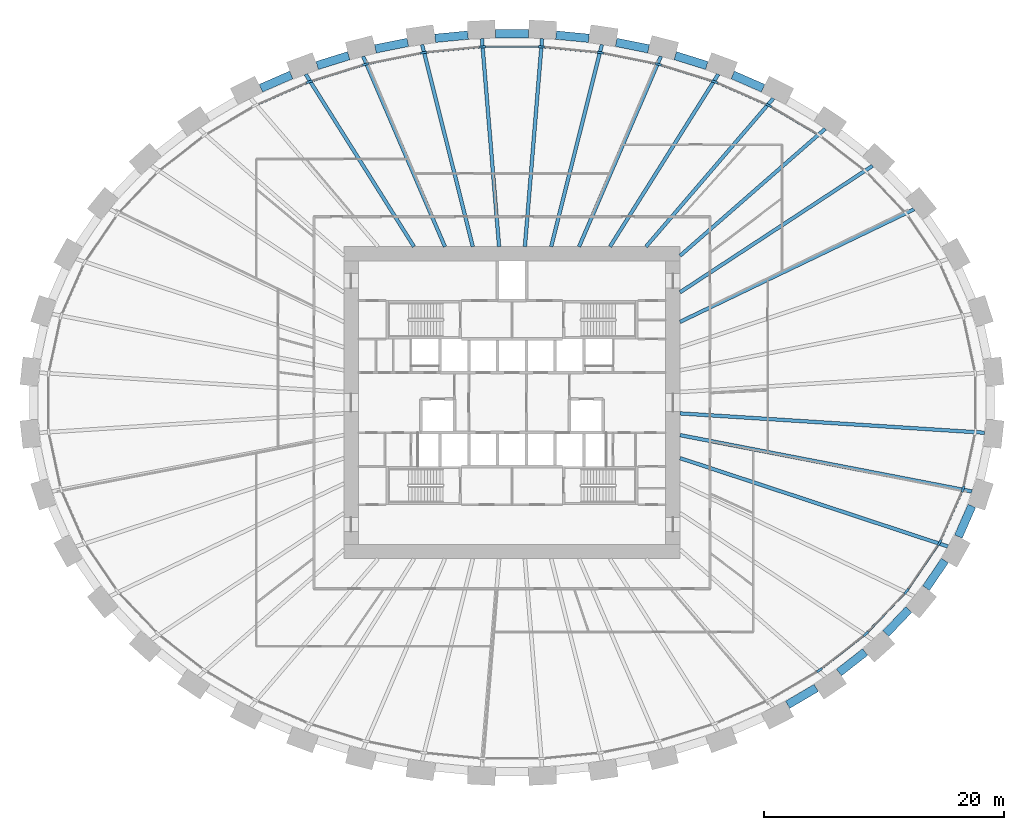
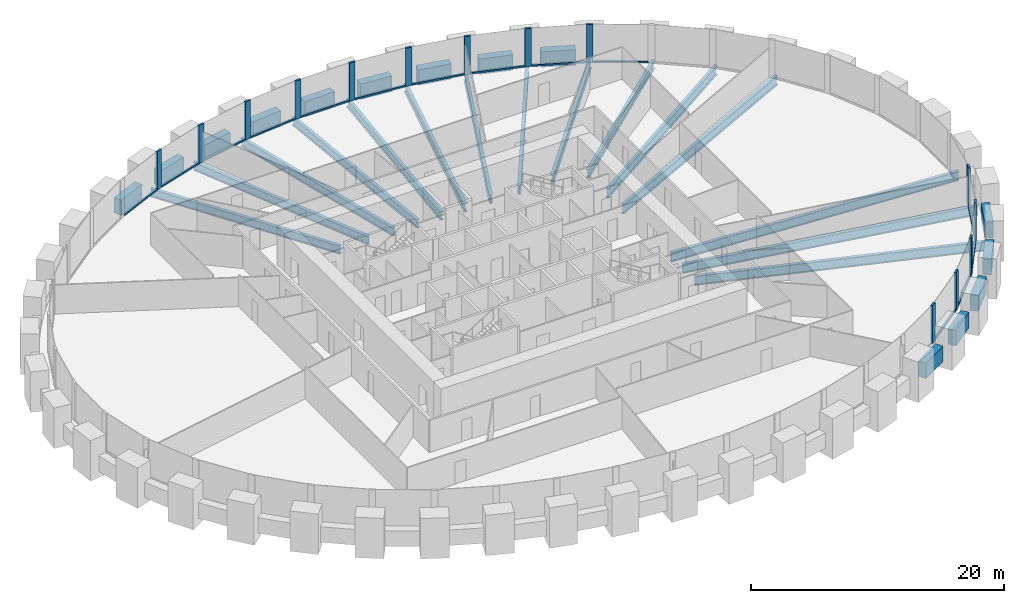
# One storey, part 3 of 11: 29 beams, 28 members, 1 element without a shape of its own.
"""IFC4 building model written with IfcOpenShell, lengths in metres."""

from ifc_helpers import new_model, si_unit, direction, frame, origin, origin_2d, place, context, subcontext, project, spatial, rectangle, i_section, extrude, source, transform, mapped, material, material_profile, profile_set, type_object, element, aggregate, save


model = new_model("IFC4")

# Units and contexts
model_context = context("Model", 3, precision=1e-05, world=origin(), true_north=direction((0.0, 1.0)))
body_context = subcontext(model_context, "Body", "Model", "MODEL_VIEW")
ifc_project = project(units=[si_unit("LENGTHUNIT", "METRE"), si_unit("AREAUNIT", "SQUARE_METRE"), si_unit("VOLUMEUNIT", "CUBIC_METRE"), si_unit("PLANEANGLEUNIT", "RADIAN"), si_unit("MASSUNIT", "GRAM", prefix="KILO")], contexts=[model_context])

# Site, building, storey
site_placement = place(None, origin())
site = spatial("IfcSite", under=ifc_project, at=site_placement, CompositionType="ELEMENT")
building_placement = place(site_placement, origin())
building = spatial("IfcBuilding", under=site, at=building_placement, Name="Embergate Tower", CompositionType="ELEMENT")
storey_placement = place(building_placement, frame((0.0, 0.0, 113.300048828125)))
storey = spatial("IfcBuildingStorey", under=building, at=storey_placement, Name="L24", CompositionType="ELEMENT", Elevation=113.300048828125)

# Beams
ifc_material_1 = material(Name="Concrete C70", Category="concrete")
ifc_material_profile_1 = material_profile(ifc_material_1, rectangle(XDim=0.699951171875, YDim=1.5, at=origin_2d()), Name="RC 700x1500")
ifc_profile_set_1 = profile_set([ifc_material_profile_1], Name="Concrete C70")
beam_type_1 = type_object("IfcBeamType", Name="Spandrel beam RC 700x1500 C70", PredefinedType="BEAM", material=ifc_profile_set_1)
shared_shape_1 = source(origin(), body_context, "Body", "SweptSolid", [
    extrude(rectangle(XDim=0.699951171875, YDim=1.5, at=origin_2d()), origin(), (0.0, 0.0, 1.0), 2.78564453125),
])
beam_1_placement = place(storey_placement, frame((37.193115234375, -11.14892578125, 0.0), z_axis=(0.401669232295, 0.915784815242, 0.0), x_axis=(-0.915784815242, 0.401669232295, 0.0)))
element("IfcBeam", 1, at=beam_1_placement, inside=storey, type_object=beam_type_1, Name="SPN-L24-41", PredefinedType="BEAM", context=body_context, shape_type="MappedRepresentation", body=[
    mapped(shared_shape_1, transform((0.0, 0.0, 0.0))),
])
shared_shape_2 = source(origin(), body_context, "Body", "SweptSolid", [
    extrude(rectangle(XDim=0.699951171875, YDim=1.5, at=origin_2d()), origin(), (0.0, 0.0, 1.0), 2.775634765625),
])
beam_2_placement = place(storey_placement, frame((34.5009765625, -15.447021484375, 0.0), z_axis=(0.562430313872, 0.826844690397, 0.0), x_axis=(-0.826844690397, 0.562430313872, 0.0)))
element("IfcBeam", 2, at=beam_2_placement, inside=storey, type_object=beam_type_1, Name="SPN-L24-40", PredefinedType="BEAM", context=body_context, shape_type="MappedRepresentation", body=[
    mapped(shared_shape_2, transform((0.0, 0.0, 0.0))),
])
shared_shape_3 = source(origin(), body_context, "Body", "SweptSolid", [
    extrude(rectangle(XDim=0.699951171875, YDim=1.5, at=origin_2d()), origin(), (0.0, 0.0, 1.0), 2.770263671875),
])
beam_3_placement = place(storey_placement, frame((31.14404296875, -19.241943359375, 0.0), z_axis=(0.690119345663, 0.723695577395, 0.0), x_axis=(-0.723695577395, 0.690119345663, 0.0)))
element("IfcBeam", 3, at=beam_3_placement, inside=storey, type_object=beam_type_1, Name="SPN-L24-39", PredefinedType="BEAM", context=body_context, shape_type="MappedRepresentation", body=[
    mapped(shared_shape_3, transform((0.0, 0.0, 0.0))),
])
shared_shape_4 = source(origin(), body_context, "Body", "SweptSolid", [
    extrude(rectangle(XDim=0.699951171875, YDim=1.5, at=origin_2d()), origin(), (0.0, 0.0, 1.0), 2.762939453125),
])
beam_4_placement = place(storey_placement, frame((27.248046875, -22.470947265625, 0.0), z_axis=(0.788304284462, 0.615285588242, 0.0), x_axis=(-0.615285588242, 0.788304284462, 0.0)))
element("IfcBeam", 4, at=beam_4_placement, inside=storey, type_object=beam_type_1, Name="SPN-L24-38", PredefinedType="BEAM", context=body_context, shape_type="MappedRepresentation", body=[
    mapped(shared_shape_4, transform((0.0, 0.0, 0.0))),
])
shared_shape_5 = source(origin(), body_context, "Body", "SweptSolid", [
    extrude(rectangle(XDim=0.699951171875, YDim=1.5, at=origin_2d()), origin(), (0.0, 0.0, 1.0), 2.758544921875),
])
beam_5_placement = place(storey_placement, frame((22.968017578125, -25.162109375, 0.0), z_axis=(0.862027482261, 0.506861539108, 0.0), x_axis=(-0.506861539108, 0.862027482261, 0.0)))
element("IfcBeam", 5, at=beam_5_placement, inside=storey, type_object=beam_type_1, Name="SPN-L24-37", PredefinedType="BEAM", context=body_context, shape_type="MappedRepresentation", body=[
    mapped(shared_shape_5, transform((0.0, 0.0, 0.0))),
])
shared_shape_6 = source(origin(), body_context, "Body", "SweptSolid", [
    extrude(rectangle(XDim=0.699951171875, YDim=1.5, at=origin_2d()), origin(), (0.0, 0.0, 1.0), 2.75537109375),
])
for number, where, z_axis, x_axis, name in (
    (6, (20.9189453125, 26.2080078125, 0.0), (-0.916372764163, 0.400326063478, 0.0), (-0.400326063478, -0.916372764163, 0.0), "SPN-L24-06"),
    (7, (-18.39404296875, 27.31103515625, 0.0), (-0.916372764163, -0.400326063478, 0.0), (0.400326063478, -0.916372764163, 0.0), "SPN-L24-14"),
):
    element("IfcBeam", number, at=place(storey_placement, frame(where, z_axis=z_axis, x_axis=x_axis)), inside=storey, type_object=beam_type_1, Name=name, PredefinedType="BEAM", context=body_context, shape_type="MappedRepresentation", body=[
        mapped(shared_shape_6, transform((0.0, 0.0, 0.0))),
    ])
shared_shape_7 = source(origin(), body_context, "Body", "SweptSolid", [
    extrude(rectangle(XDim=0.699951171875, YDim=1.5, at=origin_2d()), origin(), (0.0, 0.0, 1.0), 2.750732421875),
])
for number, where, z_axis, x_axis, name in (
    (8, (16.23193359375, 28.095947265625, 0.0), (-0.954637769475, 0.297769590609, 0.0), (-0.297769590609, -0.954637769475, 0.0), "SPN-L24-07"),
    (9, (-13.60595703125, 28.9150390625, 0.0), (-0.954637769475, -0.297769590609, 0.0), (0.297769590609, -0.954637769475, 0.0), "SPN-L24-13"),
):
    element("IfcBeam", number, at=place(storey_placement, frame(where, z_axis=z_axis, x_axis=x_axis)), inside=storey, type_object=beam_type_1, Name=name, PredefinedType="BEAM", context=body_context, shape_type="MappedRepresentation", body=[
        mapped(shared_shape_7, transform((0.0, 0.0, 0.0))),
    ])
shared_shape_8 = source(origin(), body_context, "Body", "SweptSolid", [
    extrude(rectangle(XDim=0.699951171875, YDim=1.5, at=origin_2d()), origin(), (0.0, 0.0, 1.0), 2.749755859375),
])
for number, where, z_axis, x_axis, name in (
    (10, (11.376953125, 29.48291015625, 0.0), (-0.98045412413, 0.196747834743, 0.0), (-0.196747834743, -0.98045412413, 0.0), "SPN-L24-08"),
    (11, (-8.680908203125, 30.02392578125, 0.0), (-0.98045412413, -0.196747834743, 0.0), (0.196747834743, -0.98045412413, 0.0), "SPN-L24-12"),
):
    element("IfcBeam", number, at=place(storey_placement, frame(where, z_axis=z_axis, x_axis=x_axis)), inside=storey, type_object=beam_type_1, Name=name, PredefinedType="BEAM", context=body_context, shape_type="MappedRepresentation", body=[
        mapped(shared_shape_8, transform((0.0, 0.0, 0.0))),
    ])
shared_shape_9 = source(origin(), body_context, "Body", "SweptSolid", [
    extrude(rectangle(XDim=0.699951171875, YDim=1.5, at=origin_2d()), origin(), (0.0, 0.0, 1.0), 2.748291015625),
])
for number, where, z_axis, x_axis, name in (
    (12, (6.406005859375, 30.363037109375, 0.0), (-0.995196843386, 0.097894039223, 0.0), (-0.097894039223, -0.995196843386, 0.0), "SPN-L24-09"),
    (13, (-3.6708984375, 30.632080078125, 0.0), (-0.995196843386, -0.097894039223, 0.0), (0.097894039223, -0.995196843386, 0.0), "SPN-L24-11"),
):
    element("IfcBeam", number, at=place(storey_placement, frame(where, z_axis=z_axis, x_axis=x_axis)), inside=storey, type_object=beam_type_1, Name=name, PredefinedType="BEAM", context=body_context, shape_type="MappedRepresentation", body=[
        mapped(shared_shape_9, transform((0.0, 0.0, 0.0))),
    ])
shared_shape_10 = source(origin(), body_context, "Body", "SweptSolid", [
    extrude(rectangle(XDim=0.699951171875, YDim=1.5, at=origin_2d()), origin(), (0.0, 0.0, 1.0), 2.748046875),
])
beam_6_placement = place(storey_placement, frame((1.3740234375, 30.7451171875, 0.0), z_axis=(-1.0, 0.0, 0.0), x_axis=(0.0, -1.0, 0.0)))
element("IfcBeam", 14, at=beam_6_placement, inside=storey, type_object=beam_type_1, Name="SPN-L24-10", PredefinedType="BEAM", context=body_context, shape_type="MappedRepresentation", body=[
    mapped(shared_shape_10, transform((0.0, 0.0, 0.0))),
])
ifc_material_2 = material(Name="Steel Q355B", Category="steel")
ifc_material_profile_2 = material_profile(ifc_material_2, i_section(OverallWidth=0.300048828125, OverallDepth=0.89990234375, WebThickness=0.01611328125, FlangeThickness=0.028076171875, FilletRadius=0.028076171875, at=origin_2d()), Name="HN 900x300x16x28")
ifc_profile_set_2 = profile_set([ifc_material_profile_2], Name="Steel Q355 grade B")
beam_type_2 = type_object("IfcBeamType", Name="Radial girder HN 900x300x16x28", PredefinedType="BEAM", material=ifc_profile_set_2)
shared_shape_11 = source(origin(), body_context, "Body", "SweptSolid", [
    extrude(i_section(OverallWidth=0.300048828125, OverallDepth=0.89990234375, WebThickness=0.01611328125, FlangeThickness=0.028076171875, FilletRadius=0.028076171875, at=origin_2d()), origin(), (0.0, 0.0, 1.0), 25.43115234375),
])
beam_7_placement = place(storey_placement, frame((39.3798828125, -2.501953125, -0.650146484375), z_axis=(-0.997986432318, 0.063427761344, 0.0), x_axis=(-0.063427761344, -0.997986432318, 0.0)))
element("IfcBeam", 15, at=beam_7_placement, inside=storey, type_object=beam_type_2, Name="GIR-L24-43", PredefinedType="BEAM", context=body_context, shape_type="MappedRepresentation", body=[
    mapped(shared_shape_11, transform((0.0, 0.0, 0.0))),
])
shared_shape_12 = source(origin(), body_context, "Body", "SweptSolid", [
    extrude(i_section(OverallWidth=0.300048828125, OverallDepth=0.89990234375, WebThickness=0.01611328125, FlangeThickness=0.028076171875, FilletRadius=0.028076171875, at=origin_2d()), origin(), (0.0, 0.0, 1.0), 24.775390625),
])
beam_8_placement = place(storey_placement, frame((38.326904296875, -7.39404296875, -0.650146484375), z_axis=(-0.981895013442, 0.189425929, 0.0), x_axis=(-0.189425929, -0.981895013442, 0.0)))
element("IfcBeam", 16, at=beam_8_placement, inside=storey, type_object=beam_type_2, Name="GIR-L24-42", PredefinedType="BEAM", context=body_context, shape_type="MappedRepresentation", body=[
    mapped(shared_shape_12, transform((0.0, 0.0, 0.0))),
])
shared_shape_13 = source(origin(), body_context, "Body", "SweptSolid", [
    extrude(i_section(OverallWidth=0.300048828125, OverallDepth=0.89990234375, WebThickness=0.01611328125, FlangeThickness=0.028076171875, FilletRadius=0.028076171875, at=origin_2d()), origin(), (0.0, 0.0, 1.0), 23.499267578125),
])
beam_9_placement = place(storey_placement, frame((36.31689453125, -11.97705078125, -0.650146484375), z_axis=(-0.949685213061, 0.31320599626, 0.0), x_axis=(-0.31320599626, -0.949685213061, 0.0)))
element("IfcBeam", 17, at=beam_9_placement, inside=storey, type_object=beam_type_2, Name="GIR-L24-41", PredefinedType="BEAM", context=body_context, shape_type="MappedRepresentation", body=[
    mapped(shared_shape_13, transform((0.0, 0.0, 0.0))),
])
shared_shape_14 = source(origin(), body_context, "Body", "SweptSolid", [
    extrude(i_section(OverallWidth=0.300048828125, OverallDepth=0.89990234375, WebThickness=0.01611328125, FlangeThickness=0.028076171875, FilletRadius=0.028076171875, at=origin_2d()), origin(), (0.0, 0.0, 1.0), 21.641357421875),
])
beam_10_placement = place(storey_placement, frame((33.501953125, 16.116943359375, -0.650146484375), z_axis=(-0.901145989674, -0.433515749765, 0.0), x_axis=(0.433515749765, -0.901145989674, 0.0)))
element("IfcBeam", 18, at=beam_10_placement, inside=storey, type_object=beam_type_2, Name="GIR-L24-03", PredefinedType="BEAM", context=body_context, shape_type="MappedRepresentation", body=[
    mapped(shared_shape_14, transform((0.0, 0.0, 0.0))),
])
shared_shape_15 = source(origin(), body_context, "Body", "SweptSolid", [
    extrude(i_section(OverallWidth=0.300048828125, OverallDepth=0.89990234375, WebThickness=0.01611328125, FlangeThickness=0.028076171875, FilletRadius=0.028076171875, at=origin_2d()), origin(), (0.0, 0.0, 1.0), 19.19970703125),
])
beam_11_placement = place(storey_placement, frame((30.0458984375, 19.741943359375, -0.650146484375), z_axis=(-0.835740827345, -0.549124092996, 0.0), x_axis=(0.549124092996, -0.835740827345, 0.0)))
element("IfcBeam", 19, at=beam_11_placement, inside=storey, type_object=beam_type_2, Name="GIR-L24-04", PredefinedType="BEAM", context=body_context, shape_type="MappedRepresentation", body=[
    mapped(shared_shape_15, transform((0.0, 0.0, 0.0))),
])
ifc_material_profile_3 = material_profile(ifc_material_2, i_section(OverallWidth=0.300048828125, OverallDepth=0.800048828125, WebThickness=0.013916015625, FlangeThickness=0.02587890625, FilletRadius=0.028076171875, at=origin_2d()), Name="HN 800x300x14x26")
ifc_profile_set_3 = profile_set([ifc_material_profile_3], Name="Steel Q355 grade B")
beam_type_3 = type_object("IfcBeamType", Name="Radial girder HN 800x300x14x26", PredefinedType="BEAM", material=ifc_profile_set_3)
shared_shape_16 = source(origin(), body_context, "Body", "SweptSolid", [
    extrude(i_section(OverallWidth=0.300048828125, OverallDepth=0.800048828125, WebThickness=0.013916015625, FlangeThickness=0.02587890625, FilletRadius=0.028076171875, at=origin_2d()), origin(), (0.0, 0.0, 1.0), 16.071533203125),
])
beam_12_placement = place(storey_placement, frame((26.097900390625, 22.822998046875, -0.60009765625), z_axis=(-0.752748875992, -0.658307777329, 0.0), x_axis=(0.658307777329, -0.752748875992, 0.0)))
element("IfcBeam", 20, at=beam_12_placement, inside=storey, type_object=beam_type_3, Name="GIR-L24-05", PredefinedType="BEAM", context=body_context, shape_type="MappedRepresentation", body=[
    mapped(shared_shape_16, transform((0.0, 0.0, 0.0))),
])
shared_shape_17 = source(origin(), body_context, "Body", "SweptSolid", [
    extrude(i_section(OverallWidth=0.300048828125, OverallDepth=0.800048828125, WebThickness=0.013916015625, FlangeThickness=0.02587890625, FilletRadius=0.028076171875, at=origin_2d()), origin(), (0.0, 0.0, 1.0), 16.294677734375),
])
beam_13_placement = place(storey_placement, frame((21.779052734375, 25.362060546875, -0.60009765625), z_axis=(-0.651495635829, -0.758652381856, 0.0), x_axis=(0.758652381856, -0.651495635829, 0.0)))
element("IfcBeam", 21, at=beam_13_placement, inside=storey, type_object=beam_type_3, Name="GIR-L24-06", PredefinedType="BEAM", context=body_context, shape_type="MappedRepresentation", body=[
    mapped(shared_shape_17, transform((0.0, 0.0, 0.0))),
])
shared_shape_18 = source(origin(), body_context, "Body", "SweptSolid", [
    extrude(i_section(OverallWidth=0.300048828125, OverallDepth=0.800048828125, WebThickness=0.013916015625, FlangeThickness=0.02587890625, FilletRadius=0.028076171875, at=origin_2d()), origin(), (0.0, 0.0, 1.0), 16.968017578125),
])
for number, where, z_axis, x_axis, name in (
    (22, (17.18896484375, 27.368896484375, -0.60009765625), (-0.53187684388, -0.846821718513, 0.0), (0.846821718513, -0.53187684388, 0.0), "GIR-L24-07"),
    (23, (-17.18896484375, 27.368896484375, -0.60009765625), (0.53187684388, -0.846821718513, 0.0), (0.846821718513, 0.53187684388, 0.0), "GIR-L24-14"),
):
    element("IfcBeam", number, at=place(storey_placement, frame(where, z_axis=z_axis, x_axis=x_axis)), inside=storey, type_object=beam_type_3, Name=name, PredefinedType="BEAM", context=body_context, shape_type="MappedRepresentation", body=[
        mapped(shared_shape_18, transform((0.0, 0.0, 0.0))),
    ])
shared_shape_19 = source(origin(), body_context, "Body", "SweptSolid", [
    extrude(i_section(OverallWidth=0.300048828125, OverallDepth=0.800048828125, WebThickness=0.013916015625, FlangeThickness=0.02587890625, FilletRadius=0.028076171875, at=origin_2d()), origin(), (0.0, 0.0, 1.0), 17.261962890625),
])
for number, where, z_axis, x_axis, name in (
    (24, (12.405029296875, 28.85888671875, -0.60009765625), (-0.394921038266, -0.918715066566, 0.0), (0.918715066566, -0.394921038266, 0.0), "GIR-L24-08"),
    (25, (-12.405029296875, 28.85888671875, -0.60009765625), (0.394921038266, -0.918715066566, 0.0), (0.918715066566, 0.394921038266, 0.0), "GIR-L24-13"),
):
    element("IfcBeam", number, at=place(storey_placement, frame(where, z_axis=z_axis, x_axis=x_axis)), inside=storey, type_object=beam_type_3, Name=name, PredefinedType="BEAM", context=body_context, shape_type="MappedRepresentation", body=[
        mapped(shared_shape_19, transform((0.0, 0.0, 0.0))),
    ])
shared_shape_20 = source(origin(), body_context, "Body", "SweptSolid", [
    extrude(i_section(OverallWidth=0.300048828125, OverallDepth=0.800048828125, WebThickness=0.013916015625, FlangeThickness=0.02587890625, FilletRadius=0.028076171875, at=origin_2d()), origin(), (0.0, 0.0, 1.0), 17.36669921875),
])
for number, where, z_axis, x_axis, name in (
    (26, (7.491943359375, 29.843994140625, -0.60009765625), (-0.243511287378, -0.969898063159, 0.0), (0.969898063159, -0.243511287378, 0.0), "GIR-L24-09"),
    (27, (-7.491943359375, 29.843994140625, -0.60009765625), (0.243511287378, -0.969898063159, 0.0), (0.969898063159, 0.243511287378, 0.0), "GIR-L24-12"),
):
    element("IfcBeam", number, at=place(storey_placement, frame(where, z_axis=z_axis, x_axis=x_axis)), inside=storey, type_object=beam_type_3, Name=name, PredefinedType="BEAM", context=body_context, shape_type="MappedRepresentation", body=[
        mapped(shared_shape_20, transform((0.0, 0.0, 0.0))),
    ])
shared_shape_21 = source(origin(), body_context, "Body", "SweptSolid", [
    extrude(i_section(OverallWidth=0.300048828125, OverallDepth=0.800048828125, WebThickness=0.013916015625, FlangeThickness=0.02587890625, FilletRadius=0.028076171875, at=origin_2d()), origin(), (0.0, 0.0, 1.0), 17.393798828125),
])
for number, where, z_axis, x_axis, name in (
    (28, (2.5048828125, 30.3349609375, -0.60009765625), (-0.082264860463, -0.996610502018, 0.0), (0.996610502018, -0.082264860463, 0.0), "GIR-L24-10"),
    (29, (-2.5048828125, 30.3349609375, -0.60009765625), (0.082264860463, -0.996610502018, 0.0), (0.996610502018, 0.082264860463, 0.0), "GIR-L24-11"),
):
    element("IfcBeam", number, at=place(storey_placement, frame(where, z_axis=z_axis, x_axis=x_axis)), inside=storey, type_object=beam_type_3, Name=name, PredefinedType="BEAM", context=body_context, shape_type="MappedRepresentation", body=[
        mapped(shared_shape_21, transform((0.0, 0.0, 0.0))),
    ])

# Curtain wall, members
ifc_material_3 = material(Name="Aluminium and glass", Category="aluminium")
curtain_wall_type = type_object("IfcCurtainWallType", Name="Recessed office glazing", PredefinedType="NOTDEFINED", material=ifc_material_3)
curtain_wall_placement = place(storey_placement, origin())
curtain_wall = element("IfcCurtainWall", 30, at=curtain_wall_placement, inside=storey, type_object=curtain_wall_type, Name="Recessed office glazing ring", ObjectType="RECESSED OFFICE GLAZING", PredefinedType="USERDEFINED")
ifc_material_4 = material(Name="Aluminium, thermally broken", Category="aluminium")
ifc_material_profile_4 = material_profile(ifc_material_4, rectangle(XDim=0.179931640625, YDim=0.52001953125, at=origin_2d()), Name="AL 520x180")
ifc_profile_set_4 = profile_set([ifc_material_profile_4], Name="Aluminium, thermally broken")
member_type_1 = type_object("IfcMemberType", Name="Office mullion", PredefinedType="MULLION", material=ifc_profile_set_4)
shared_shape_22 = source(origin(), body_context, "Body", "SweptSolid", [
    extrude(rectangle(XDim=0.179931640625, YDim=0.52001953125, at=origin_2d()), origin(), (0.0, 0.0, 1.0), 3.699951171875),
])
member_1_placement = place(storey_placement, frame((21.391357421875, 24.768310546875, 0.0), z_axis=(0.0, 0.0, 1.0), x_axis=(-0.454516044429, -0.890738550506, 0.0)))
member_1 = element("IfcMember", 31, at=member_1_placement, type_object=member_type_1, Name="CW mullion 7", PredefinedType="MULLION", context=body_context, shape_type="MappedRepresentation", body=[
    mapped(shared_shape_22, transform((0.0, 0.0, 0.0))),
])
member_2_placement = place(storey_placement, frame((16.88623046875, 26.73828125, 0.0), z_axis=(0.0, 0.0, 1.0), x_axis=(-0.34950595337, -0.936934143128, 0.0)))
member_2 = element("IfcMember", 32, at=member_2_placement, type_object=member_type_1, Name="CW mullion 8", PredefinedType="MULLION", context=body_context, shape_type="MappedRepresentation", body=[
    mapped(shared_shape_22, transform((0.0, 0.0, 0.0))),
])
member_3_placement = place(storey_placement, frame((12.1884765625, 28.201171875, 0.0), z_axis=(0.0, 0.0, 1.0), x_axis=(-0.247315263593, -0.968935065107, 0.0)))
member_3 = element("IfcMember", 33, at=member_3_placement, type_object=member_type_1, Name="CW mullion 9", PredefinedType="MULLION", context=body_context, shape_type="MappedRepresentation", body=[
    mapped(shared_shape_22, transform((0.0, 0.0, 0.0))),
])
member_4_placement = place(storey_placement, frame((7.3623046875, 29.169189453125, 0.0), z_axis=(0.0, 0.0, 1.0), x_axis=(-0.14741410908, -0.98907486089, 0.0)))
member_4 = element("IfcMember", 34, at=member_4_placement, type_object=member_type_1, Name="CW mullion 10", PredefinedType="MULLION", context=body_context, shape_type="MappedRepresentation", body=[
    mapped(shared_shape_22, transform((0.0, 0.0, 0.0))),
])
member_5_placement = place(storey_placement, frame((2.462158203125, 29.65087890625, 0.0), z_axis=(0.0, 0.0, 1.0), x_axis=(-0.048971796621, -0.998800161762, 0.0)))
member_5 = element("IfcMember", 35, at=member_5_placement, type_object=member_type_1, Name="CW mullion 11", PredefinedType="MULLION", context=body_context, shape_type="MappedRepresentation", body=[
    mapped(shared_shape_22, transform((0.0, 0.0, 0.0))),
])
member_6_placement = place(storey_placement, frame((-2.462158203125, 29.65087890625, 0.0), z_axis=(0.0, 0.0, 1.0), x_axis=(0.048971796621, -0.998800161762, 0.0)))
member_6 = element("IfcMember", 36, at=member_6_placement, type_object=member_type_1, Name="CW mullion 12", PredefinedType="MULLION", context=body_context, shape_type="MappedRepresentation", body=[
    mapped(shared_shape_22, transform((0.0, 0.0, 0.0))),
])
member_7_placement = place(storey_placement, frame((-7.3623046875, 29.169189453125, 0.0), z_axis=(0.0, 0.0, 1.0), x_axis=(0.14741410908, -0.98907486089, 0.0)))
member_7 = element("IfcMember", 37, at=member_7_placement, type_object=member_type_1, Name="CW mullion 13", PredefinedType="MULLION", context=body_context, shape_type="MappedRepresentation", body=[
    mapped(shared_shape_22, transform((0.0, 0.0, 0.0))),
])
member_8_placement = place(storey_placement, frame((-12.1884765625, 28.201171875, 0.0), z_axis=(0.0, 0.0, 1.0), x_axis=(0.247315263593, -0.968935065107, 0.0)))
member_8 = element("IfcMember", 38, at=member_8_placement, type_object=member_type_1, Name="CW mullion 14", PredefinedType="MULLION", context=body_context, shape_type="MappedRepresentation", body=[
    mapped(shared_shape_22, transform((0.0, 0.0, 0.0))),
])
member_9_placement = place(storey_placement, frame((-16.88623046875, 26.73828125, 0.0), z_axis=(0.0, 0.0, 1.0), x_axis=(0.34950595337, -0.936934143128, 0.0)))
member_9 = element("IfcMember", 39, at=member_9_placement, type_object=member_type_1, Name="CW mullion 15", PredefinedType="MULLION", context=body_context, shape_type="MappedRepresentation", body=[
    mapped(shared_shape_22, transform((0.0, 0.0, 0.0))),
])
member_10_placement = place(storey_placement, frame((25.6259765625, -22.278564453125, 0.0), z_axis=(0.0, 0.0, 1.0), x_axis=(-0.562223392005, 0.826985403428, 0.0)))
member_10 = element("IfcMember", 40, at=member_10_placement, type_object=member_type_1, Name="CW mullion 39", PredefinedType="MULLION", context=body_context, shape_type="MappedRepresentation", body=[
    mapped(shared_shape_22, transform((0.0, 0.0, 0.0))),
])
member_11_placement = place(storey_placement, frame((29.49365234375, -19.260009765625, 0.0), z_axis=(0.0, 0.0, 1.0), x_axis=(-0.671233002577, 0.741246420734, 0.0)))
member_11 = element("IfcMember", 41, at=member_11_placement, type_object=member_type_1, Name="CW mullion 40", PredefinedType="MULLION", context=body_context, shape_type="MappedRepresentation", body=[
    mapped(shared_shape_22, transform((0.0, 0.0, 0.0))),
])
member_12_placement = place(storey_placement, frame((32.87451171875, -15.714599609375, 0.0), z_axis=(0.0, 0.0, 1.0), x_axis=(-0.777879145133, 0.628413904658, 0.0)))
member_12 = element("IfcMember", 42, at=member_12_placement, type_object=member_type_1, Name="CW mullion 41", PredefinedType="MULLION", context=body_context, shape_type="MappedRepresentation", body=[
    mapped(shared_shape_22, transform((0.0, 0.0, 0.0))),
])
member_13_placement = place(storey_placement, frame((35.62451171875, -11.6708984375, 0.0), z_axis=(0.0, 0.0, 1.0), x_axis=(-0.875006965472, 0.484110328723, 0.0)))
member_13 = element("IfcMember", 43, at=member_13_placement, type_object=member_type_1, Name="CW mullion 42", PredefinedType="MULLION", context=body_context, shape_type="MappedRepresentation", body=[
    mapped(shared_shape_22, transform((0.0, 0.0, 0.0))),
])
member_14_placement = place(storey_placement, frame((37.5849609375, -7.20068359375, 0.0), z_axis=(0.0, 0.0, 1.0), x_axis=(-0.951500482757, 0.30764725143, 0.0)))
member_14 = element("IfcMember", 44, at=member_14_placement, type_object=member_type_1, Name="CW mullion 43", PredefinedType="MULLION", context=body_context, shape_type="MappedRepresentation", body=[
    mapped(shared_shape_22, transform((0.0, 0.0, 0.0))),
])
ifc_material_profile_5 = material_profile(ifc_material_4, rectangle(XDim=0.179931640625, YDim=0.14990234375, at=origin_2d()), Name="AL 150x180")
ifc_profile_set_5 = profile_set([ifc_material_profile_5], Name="Aluminium, thermally broken")
member_type_2 = type_object("IfcMemberType", Name="Office sill transom", PredefinedType="USERDEFINED", material=ifc_profile_set_5)
shared_shape_23 = source(origin(), body_context, "Body", "SweptSolid", [
    extrude(rectangle(XDim=0.179931640625, YDim=0.14990234375, at=origin_2d()), origin(), (0.0, 0.0, 1.0), 4.361083984375),
])
member_15_placement = place(storey_placement, frame((35.72900390625, -11.432861328125, 0.074951171875), z_axis=(0.401614544281, 0.915808799817, 0.0), x_axis=(-0.915808799817, 0.401614544281, 0.0)))
member_15 = element("IfcMember", 45, at=member_15_placement, type_object=member_type_2, Name="CW transom 42.1", ObjectType="TRANSOM", PredefinedType="USERDEFINED", context=body_context, shape_type="MappedRepresentation", body=[
    mapped(shared_shape_23, transform((0.0, 0.0, 0.0))),
])
shared_shape_24 = source(origin(), body_context, "Body", "SweptSolid", [
    extrude(rectangle(XDim=0.179931640625, YDim=0.14990234375, at=origin_2d()), origin(), (0.0, 0.0, 1.0), 4.37890625),
])
member_16_placement = place(storey_placement, frame((29.673095703125, -19.07177734375, 0.074951171875), z_axis=(0.690125589668, 0.723689623032, 0.0), x_axis=(-0.723689623032, 0.690125589668, 0.0)))
member_16 = element("IfcMember", 46, at=member_16_placement, type_object=member_type_2, Name="CW transom 40.1", ObjectType="TRANSOM", PredefinedType="USERDEFINED", context=body_context, shape_type="MappedRepresentation", body=[
    mapped(shared_shape_24, transform((0.0, 0.0, 0.0))),
])
shared_shape_25 = source(origin(), body_context, "Body", "SweptSolid", [
    extrude(rectangle(XDim=0.179931640625, YDim=0.14990234375, at=origin_2d()), origin(), (0.0, 0.0, 1.0), 4.404296875),
])
member_17_placement = place(storey_placement, frame((2.2021484375, 29.65087890625, 0.074951171875), z_axis=(-1.0, 0.0, 0.0), x_axis=(0.0, -1.0, 0.0)))
member_17 = element("IfcMember", 47, at=member_17_placement, type_object=member_type_2, Name="CW transom 11.1", ObjectType="TRANSOM", PredefinedType="USERDEFINED", context=body_context, shape_type="MappedRepresentation", body=[
    mapped(shared_shape_25, transform((0.0, 0.0, 0.0))),
])
shared_shape_26 = source(origin(), body_context, "Body", "SweptSolid", [
    extrude(rectangle(XDim=0.179931640625, YDim=0.14990234375, at=origin_2d()), origin(), (0.0, 0.0, 1.0), 4.3701171875),
])
member_18_placement = place(storey_placement, frame((33.020751953125, -15.499755859375, 0.074951171875), z_axis=(0.562334469625, 0.826909876753, 0.0), x_axis=(-0.826909876753, 0.562334469625, 0.0)))
member_18 = element("IfcMember", 48, at=member_18_placement, type_object=member_type_2, Name="CW transom 41.1", ObjectType="TRANSOM", PredefinedType="USERDEFINED", context=body_context, shape_type="MappedRepresentation", body=[
    mapped(shared_shape_26, transform((0.0, 0.0, 0.0))),
])
shared_shape_27 = source(origin(), body_context, "Body", "SweptSolid", [
    extrude(rectangle(XDim=0.179931640625, YDim=0.14990234375, at=origin_2d()), origin(), (0.0, 0.0, 1.0), 4.386474609375),
])
member_19_placement = place(storey_placement, frame((25.830810546875, -22.11865234375, 0.074951171875), z_axis=(0.78833816957, 0.615242172156, 0.0), x_axis=(-0.615242172156, 0.78833816957, 0.0)))
member_19 = element("IfcMember", 49, at=member_19_placement, type_object=member_type_2, Name="CW transom 39.1", ObjectType="TRANSOM", PredefinedType="USERDEFINED", context=body_context, shape_type="MappedRepresentation", body=[
    mapped(shared_shape_27, transform((0.0, 0.0, 0.0))),
])
shared_shape_28 = source(origin(), body_context, "Body", "SweptSolid", [
    extrude(rectangle(XDim=0.179931640625, YDim=0.14990234375, at=origin_2d()), origin(), (0.0, 0.0, 1.0), 4.392333984375),
])
member_20_placement = place(storey_placement, frame((25.40185546875, 22.410400390625, 0.074951171875), z_axis=(-0.862029933252, 0.506857370645, 0.0), x_axis=(-0.506857370645, -0.862029933252, 0.0)))
member_20 = element("IfcMember", 50, at=member_20_placement, type_object=member_type_2, Name="CW transom 6.1", ObjectType="TRANSOM", PredefinedType="USERDEFINED", context=body_context, shape_type="MappedRepresentation", body=[
    mapped(shared_shape_28, transform((0.0, 0.0, 0.0))),
])
shared_shape_29 = source(origin(), body_context, "Body", "SweptSolid", [
    extrude(rectangle(XDim=0.179931640625, YDim=0.14990234375, at=origin_2d()), origin(), (0.0, 0.0, 1.0), 4.396728515625),
])
member_21_placement = place(storey_placement, frame((21.153076171875, 24.87255859375, 0.074951171875), z_axis=(-0.91624269748, 0.400623662949, 0.0), x_axis=(-0.400623662949, -0.91624269748, 0.0)))
member_21 = element("IfcMember", 51, at=member_21_placement, type_object=member_type_2, Name="CW transom 7.1", ObjectType="TRANSOM", PredefinedType="USERDEFINED", context=body_context, shape_type="MappedRepresentation", body=[
    mapped(shared_shape_29, transform((0.0, 0.0, 0.0))),
])
member_22_placement = place(storey_placement, frame((-17.12451171875, 26.634033203125, 0.074951171875), z_axis=(-0.91624269748, -0.400623662949, 0.0), x_axis=(0.400623662949, -0.91624269748, 0.0)))
member_22 = element("IfcMember", 52, at=member_22_placement, type_object=member_type_2, Name="CW transom 15.1", ObjectType="TRANSOM", PredefinedType="USERDEFINED", context=body_context, shape_type="MappedRepresentation", body=[
    mapped(shared_shape_29, transform((0.0, 0.0, 0.0))),
])
shared_shape_30 = source(origin(), body_context, "Body", "SweptSolid", [
    extrude(rectangle(XDim=0.179931640625, YDim=0.14990234375, at=origin_2d()), origin(), (0.0, 0.0, 1.0), 4.400146484375),
])
member_23_placement = place(storey_placement, frame((16.637939453125, 26.815673828125, 0.074951171875), z_axis=(-0.954787500192, 0.297289134474, 0.0), x_axis=(-0.297289134474, -0.954787500192, 0.0)))
member_23 = element("IfcMember", 53, at=member_23_placement, type_object=member_type_2, Name="CW transom 8.1", ObjectType="TRANSOM", PredefinedType="USERDEFINED", context=body_context, shape_type="MappedRepresentation", body=[
    mapped(shared_shape_30, transform((0.0, 0.0, 0.0))),
])
member_24_placement = place(storey_placement, frame((-12.436767578125, 28.123779296875, 0.074951171875), z_axis=(-0.954787500192, -0.297289134474, 0.0), x_axis=(0.297289134474, -0.954787500192, 0.0)))
member_24 = element("IfcMember", 54, at=member_24_placement, type_object=member_type_2, Name="CW transom 14.1", ObjectType="TRANSOM", PredefinedType="USERDEFINED", context=body_context, shape_type="MappedRepresentation", body=[
    mapped(shared_shape_30, transform((0.0, 0.0, 0.0))),
])
shared_shape_31 = source(origin(), body_context, "Body", "SweptSolid", [
    extrude(rectangle(XDim=0.179931640625, YDim=0.14990234375, at=origin_2d()), origin(), (0.0, 0.0, 1.0), 4.40234375),
])
member_25_placement = place(storey_placement, frame((11.93359375, 28.25244140625, 0.074951171875), z_axis=(-0.980473883267, 0.196649343329, 0.0), x_axis=(-0.196649343329, -0.980473883267, 0.0)))
member_25 = element("IfcMember", 55, at=member_25_placement, type_object=member_type_2, Name="CW transom 9.1", ObjectType="TRANSOM", PredefinedType="USERDEFINED", context=body_context, shape_type="MappedRepresentation", body=[
    mapped(shared_shape_31, transform((0.0, 0.0, 0.0))),
])
member_26_placement = place(storey_placement, frame((-7.6171875, 29.1181640625, 0.074951171875), z_axis=(-0.980473883267, -0.196649343329, 0.0), x_axis=(0.196649343329, -0.980473883267, 0.0)))
member_26 = element("IfcMember", 56, at=member_26_placement, type_object=member_type_2, Name="CW transom 13.1", ObjectType="TRANSOM", PredefinedType="USERDEFINED", context=body_context, shape_type="MappedRepresentation", body=[
    mapped(shared_shape_31, transform((0.0, 0.0, 0.0))),
])
shared_shape_32 = source(origin(), body_context, "Body", "SweptSolid", [
    extrude(rectangle(XDim=0.179931640625, YDim=0.14990234375, at=origin_2d()), origin(), (0.0, 0.0, 1.0), 4.404052734375),
])
member_27_placement = place(storey_placement, frame((7.103515625, 29.194580078125, 0.074951171875), z_axis=(-0.995201571056, 0.097845965514, 0.0), x_axis=(-0.097845965514, -0.995201571056, 0.0)))
member_27 = element("IfcMember", 57, at=member_27_placement, type_object=member_type_2, Name="CW transom 10.1", ObjectType="TRANSOM", PredefinedType="USERDEFINED", context=body_context, shape_type="MappedRepresentation", body=[
    mapped(shared_shape_32, transform((0.0, 0.0, 0.0))),
])
member_28_placement = place(storey_placement, frame((-2.720703125, 29.62548828125, 0.074951171875), z_axis=(-0.995201571056, -0.097845965514, 0.0), x_axis=(0.097845965514, -0.995201571056, 0.0)))
member_28 = element("IfcMember", 58, at=member_28_placement, type_object=member_type_2, Name="CW transom 12.1", ObjectType="TRANSOM", PredefinedType="USERDEFINED", context=body_context, shape_type="MappedRepresentation", body=[
    mapped(shared_shape_32, transform((0.0, 0.0, 0.0))),
])
aggregate(curtain_wall, [member_1, member_2, member_3, member_4, member_5, member_6, member_7, member_8, member_9, member_10, member_11, member_12, member_13, member_14, member_20, member_21, member_23, member_25, member_27, member_17, member_28, member_26, member_24, member_22, member_19, member_16, member_18, member_15])

save(model, "model.ifc")
